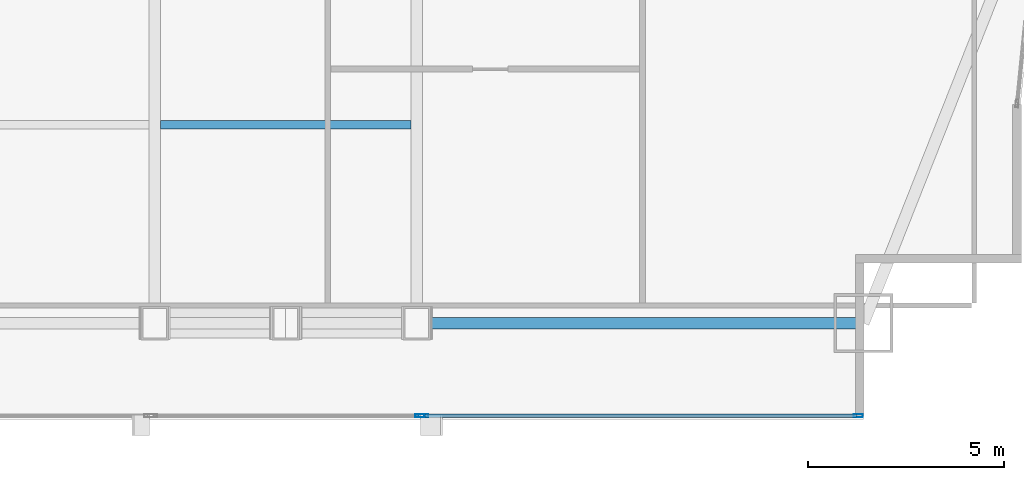
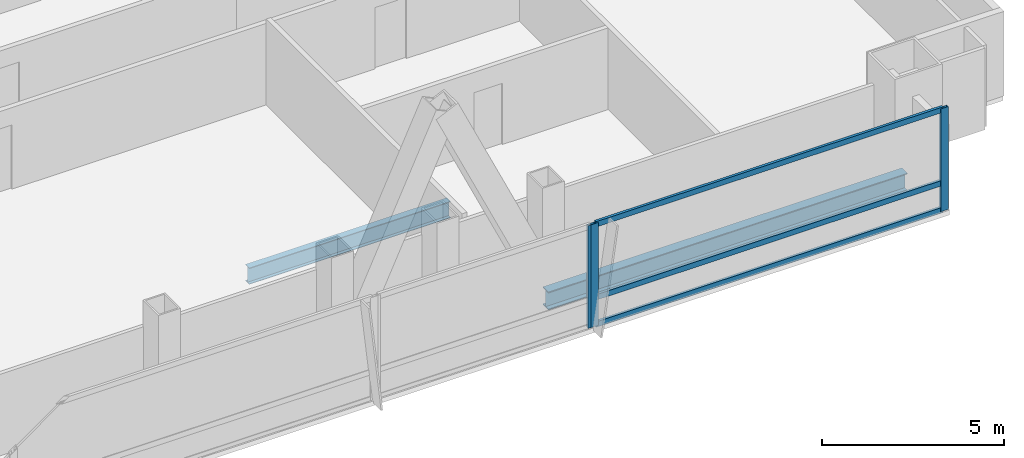
# One storey, part 15 of 31: 6 members, 2 beams, 2 elements without a shape of their own.
"""IFC4 building model written with IfcOpenShell, lengths in metres."""

from ifc_helpers import new_model, si_unit, direction, frame, origin, origin_2d, place, context, subcontext, project, spatial, hollow_rectangle, i_section, extrude, material, material_profile, profile_set, type_object, element, aggregate, save


model = new_model("IFC4")

# Units and contexts
model_context = context("Model", 3, precision=1e-05, world=origin(), true_north=direction((0.0, 1.0)))
body_context = subcontext(model_context, "Body", "Model", "MODEL_VIEW")
ifc_project = project(units=[si_unit("LENGTHUNIT", "METRE"), si_unit("AREAUNIT", "SQUARE_METRE"), si_unit("VOLUMEUNIT", "CUBIC_METRE"), si_unit("PLANEANGLEUNIT", "RADIAN"), si_unit("MASSUNIT", "GRAM", prefix="KILO")], contexts=[model_context])

# Site, building, storey
site_placement = place(None, origin())
site = spatial("IfcSite", under=ifc_project, at=site_placement, CompositionType="ELEMENT")
building_placement = place(site_placement, origin())
building = spatial("IfcBuilding", under=site, at=building_placement, Name="Khoronbel Lancet Exchange", CompositionType="ELEMENT")
storey_placement = place(building_placement, frame((0.0, 0.0, 129.0)))
storey = spatial("IfcBuildingStorey", under=building, at=storey_placement, Name="L31", CompositionType="ELEMENT", Elevation=129.0)

# Beams
ifc_material_1 = material(Name="Steel S355", Category="steel")
ifc_material_profile_1 = material_profile(ifc_material_1, i_section(OverallWidth=0.2099609375, OverallDepth=0.550048828125, WebThickness=0.010986328125, FlangeThickness=0.01708984375, at=origin_2d()), Name="IPE 550")
ifc_profile_set_1 = profile_set([ifc_material_profile_1], Name="Steel S355")
beam_type_1 = type_object("IfcBeamType", Name="BM-BJ2", PredefinedType="JOIST", material=ifc_profile_set_1)
beam_1_placement = place(storey_placement, frame((48.14990234375, 15.199951171875, -0.43505859375), z_axis=(1.0, 0.0, 0.0), x_axis=(0.0, 1.0, 0.0)))
element("IfcBeam", 1, at=beam_1_placement, inside=storey, type_object=beam_type_1, Name="Level L31 secondary composite joist J05", PredefinedType="JOIST", context=body_context, shape_type="SweptSolid", body=[
    extrude(i_section(OverallWidth=0.2099609375, OverallDepth=0.550048828125, WebThickness=0.010986328125, FlangeThickness=0.01708984375, at=origin_2d()), origin(), (0.0, 0.0, 1.0), 6.375),
])
ifc_material_profile_2 = material_profile(ifc_material_1, i_section(OverallWidth=0.300048828125, OverallDepth=0.60009765625, WebThickness=0.015380859375, FlangeThickness=0.030029296875, at=origin_2d()), Name="HEB 600")
ifc_profile_set_2 = profile_set([ifc_material_profile_2], Name="Steel S355")
beam_type_2 = type_object("IfcBeamType", Name="BM-BSP2", PredefinedType="SPANDREL", material=ifc_profile_set_2)
beam_2_placement = place(storey_placement, frame((54.675048828125, 10.14990234375, -0.4599609375), z_axis=(1.0, 0.0, 0.0), x_axis=(0.0, 1.0, 0.0)))
element("IfcBeam", 2, at=beam_2_placement, inside=storey, type_object=beam_type_2, Name="Level L31 perimeter spandrel beam SP09", PredefinedType="SPANDREL", context=body_context, shape_type="SweptSolid", body=[
    extrude(i_section(OverallWidth=0.300048828125, OverallDepth=0.60009765625, WebThickness=0.015380859375, FlangeThickness=0.030029296875, at=origin_2d()), origin(), (0.0, 0.0, 1.0), 11.375),
])

# Curtain wall, member
ifc_material_2 = material(Name="Low-E Solar Control Insulating Glass", Category="glass")
curtain_wall_type = type_object("IfcCurtainWallType", Name="CW-2", PredefinedType="NOTDEFINED", material=ifc_material_2)
curtain_wall_1_placement = place(storey_placement, origin())
curtain_wall_1 = element("IfcCurtainWall", 3, at=curtain_wall_1_placement, inside=storey, type_object=curtain_wall_type, Name="Unitised curtain wall CW-L31-SEB", PredefinedType="NOTDEFINED")
ifc_material_3 = material(Name="Bronze-Anodised Aluminium 6063-T6", Category="aluminium")
ifc_material_profile_3 = material_profile(ifc_material_3, hollow_rectangle(XDim=0.0849609375, YDim=0.239990234375, WallThickness=0.006103515625, at=origin_2d()), Name="ALU MULLION 85x240")
ifc_profile_set_3 = profile_set([ifc_material_profile_3], Name="Bronze-Anodised Aluminium 6063-T6")
member_type_1 = type_object("IfcMemberType", Name="MEM-CWM1", PredefinedType="MULLION", material=ifc_profile_set_3)
member_1_placement = place(storey_placement, frame((54.757568359375, 7.7900390625, 0.0), z_axis=(0.0, 0.0, 1.0), x_axis=(0.0, 1.0, 0.0)))
member_1 = element("IfcMember", 4, at=member_1_placement, type_object=member_type_1, Name="CW2 mullion 2", PredefinedType="MULLION", context=body_context, shape_type="SweptSolid", body=[
    extrude(hollow_rectangle(XDim=0.0849609375, YDim=0.239990234375, WallThickness=0.006103515625, at=origin_2d()), origin(), (0.0, 0.0, 1.0), 3.43994140625),
])
aggregate(curtain_wall_1, [member_1])

# Curtain wall, members
curtain_wall_2_placement = place(storey_placement, origin())
curtain_wall_2 = element("IfcCurtainWall", 5, at=curtain_wall_2_placement, inside=storey, type_object=curtain_wall_type, Name="Unitised curtain wall CW-L31-SEV", PredefinedType="NOTDEFINED")
member_2_placement = place(storey_placement, frame((54.842529296875, 7.7900390625, 0.0), z_axis=(0.0, 0.0, 1.0), x_axis=(0.0, 1.0, 0.0)))
member_2 = element("IfcMember", 6, at=member_2_placement, type_object=member_type_1, Name="CW2 mullion 1", PredefinedType="MULLION", context=body_context, shape_type="SweptSolid", body=[
    extrude(hollow_rectangle(XDim=0.0849609375, YDim=0.239990234375, WallThickness=0.006103515625, at=origin_2d()), origin(), (0.0, 0.0, 1.0), 3.43994140625),
])
member_3_placement = place(storey_placement, frame((65.91748046875, 7.7900390625, 0.0), z_axis=(0.0, 0.0, 1.0), x_axis=(0.0, 1.0, 0.0)))
member_3 = element("IfcMember", 7, at=member_3_placement, type_object=member_type_1, Name="CW2 mullion 2", PredefinedType="MULLION", context=body_context, shape_type="SweptSolid", body=[
    extrude(hollow_rectangle(XDim=0.0849609375, YDim=0.239990234375, WallThickness=0.006103515625, at=origin_2d()), origin(), (0.0, 0.0, 1.0), 3.43994140625),
])
ifc_material_profile_4 = material_profile(ifc_material_3, hollow_rectangle(XDim=0.0849609375, YDim=0.179931640625, WallThickness=0.0048828125, at=origin_2d()), Name="ALU TRANSOM 85x180")
ifc_profile_set_4 = profile_set([ifc_material_profile_4], Name="Bronze-Anodised Aluminium 6063-T6")
member_type_2 = type_object("IfcMemberType", Name="MEM-CWT1", PredefinedType="USERDEFINED", material=ifc_profile_set_4)
member_4_placement = place(storey_placement, frame((54.885009765625, 7.7900390625, 0.04248046875), z_axis=(1.0, 0.0, 0.0), x_axis=(0.0, 1.0, 0.0)))
member_4 = element("IfcMember", 8, at=member_4_placement, type_object=member_type_2, Name="CW2 transom 1.1", ObjectType="TRANSOM", PredefinedType="USERDEFINED", context=body_context, shape_type="SweptSolid", body=[
    extrude(hollow_rectangle(XDim=0.0849609375, YDim=0.179931640625, WallThickness=0.0048828125, at=origin_2d()), origin(), (0.0, 0.0, 1.0), 10.989990234375),
])
member_5_placement = place(storey_placement, frame((54.885009765625, 7.7900390625, 0.949951171875), z_axis=(1.0, 0.0, 0.0), x_axis=(0.0, 1.0, 0.0)))
member_5 = element("IfcMember", 9, at=member_5_placement, type_object=member_type_2, Name="CW2 transom 1.2", ObjectType="TRANSOM", PredefinedType="USERDEFINED", context=body_context, shape_type="SweptSolid", body=[
    extrude(hollow_rectangle(XDim=0.0849609375, YDim=0.179931640625, WallThickness=0.0048828125, at=origin_2d()), origin(), (0.0, 0.0, 1.0), 10.989990234375),
])
member_6_placement = place(storey_placement, frame((54.885009765625, 7.7900390625, 3.3974609375), z_axis=(1.0, 0.0, 0.0), x_axis=(0.0, 1.0, 0.0)))
member_6 = element("IfcMember", 10, at=member_6_placement, type_object=member_type_2, Name="CW2 transom 1.3", ObjectType="TRANSOM", PredefinedType="USERDEFINED", context=body_context, shape_type="SweptSolid", body=[
    extrude(hollow_rectangle(XDim=0.0849609375, YDim=0.179931640625, WallThickness=0.0048828125, at=origin_2d()), origin(), (0.0, 0.0, 1.0), 10.989990234375),
])
aggregate(curtain_wall_2, [member_2, member_3, member_4, member_5, member_6])

save(model, "model.ifc")
